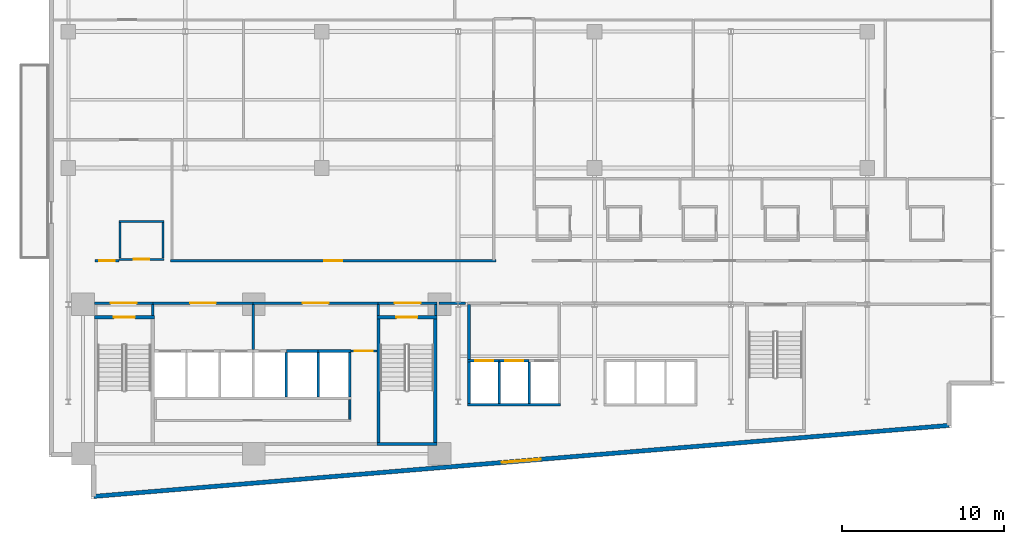
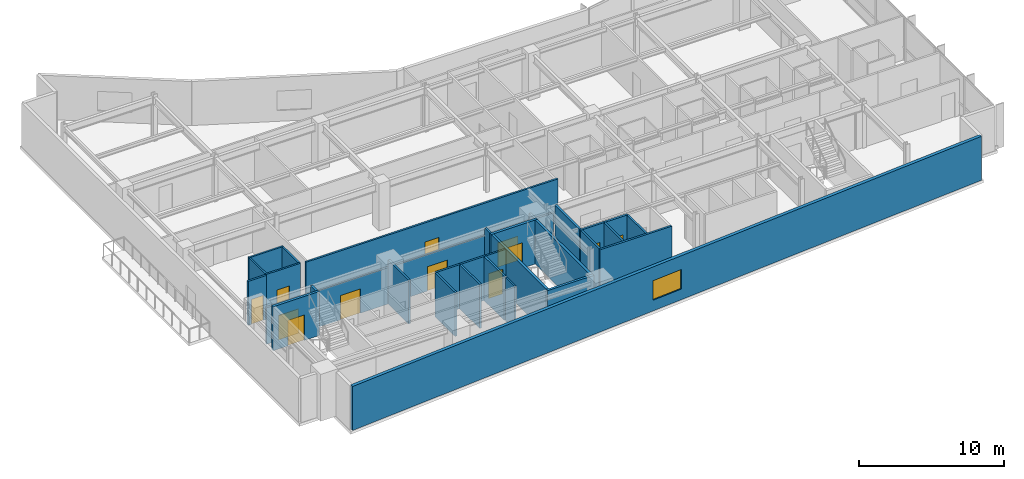
# One storey, part 12 of 19: 35 walls, 12 doors, 1 window, 13 openings.
"""IFC4 building model written with IfcOpenShell, lengths in metres."""

from ifc_helpers import new_model, si_unit, direction, frame, frame_2d, origin, place, context, subcontext, project, spatial, rectangle, extrude, material, layer, layer_set, type_object, element, fill, save


model = new_model("IFC4")

# Units and contexts
model_context = context("Model", 3, precision=1e-05, world=origin(), true_north=direction((0.0, 1.0)))
body_context = subcontext(model_context, "Body", "Model", "MODEL_VIEW")
ifc_project = project(units=[si_unit("LENGTHUNIT", "METRE"), si_unit("AREAUNIT", "SQUARE_METRE"), si_unit("VOLUMEUNIT", "CUBIC_METRE"), si_unit("PLANEANGLEUNIT", "RADIAN"), si_unit("MASSUNIT", "GRAM", prefix="KILO")], contexts=[model_context])

# Site, building, storey
site_placement = place(None, origin())
site = spatial("IfcSite", under=ifc_project, at=site_placement, CompositionType="ELEMENT")
building_placement = place(site_placement, origin())
building = spatial("IfcBuilding", under=site, at=building_placement, Name="Varnakote Quay Hospital", CompositionType="ELEMENT")
storey_placement = place(building_placement, frame((0.0, 0.0, 85.699951171875)))
storey = spatial("IfcBuildingStorey", under=building, at=storey_placement, Name="L21", CompositionType="ELEMENT", Elevation=85.699951171875)

# Wall, opening, door
ifc_material_1 = material(Name="Fire-rated acoustic gypsum stud wall", Category="gypsum")
ifc_layer_1 = layer(ifc_material_1, 0.159912109375)
ifc_layer_set_1 = layer_set([ifc_layer_1], Name="Fire-rated acoustic gypsum stud wall")
wall_type_1 = type_object("IfcWallType", Name="WL-COMP-160", PredefinedType="PARTITIONING", material=ifc_layer_set_1)
wall_1_placement = place(storey_placement, frame((2.800048828125, 12.080078125, 0.0), z_axis=(0.0, 0.0, 1.0), x_axis=(1.0, 0.0, 0.0)))
wall_1 = element("IfcWall", 1, at=wall_1_placement, inside=storey, type_object=wall_type_1, Name="L21 West Stair Vestibule Smoke Wall", PredefinedType="PARTITIONING", context=body_context, shape_type="SweptSolid", body=[
    extrude(rectangle(XDim=3.599853515625, YDim=0.159912109375, at=frame_2d((1.7998046875, 0.0))), origin(), (0.0, 0.0, 1.0), 3.072998046875),
])
opening_1_placement = place(wall_1_placement, frame((1.0, 0.0, 0.0)))
opening_1 = element("IfcOpeningElement", 2, at=opening_1_placement, cuts=wall_1, Name="Opening D-ST1L-L21", PredefinedType="OPENING", context=body_context, shape_type="SweptSolid", body=[
    extrude(rectangle(XDim=1.60009765625, YDim=2.050048828125, at=frame_2d((0.800048828125, 1.02490234375))), frame((0.0, 0.08984375, 0.0), z_axis=(0.0, -1.0, 0.0), x_axis=(1.0, 0.0, 0.0)), (0.0, 0.0, 1.0), 0.179931640625),
])
ifc_material_2 = material(Name="Fire-rated double smoke lobby door")
door_type_1 = type_object("IfcDoorType", Name="DR-LOBBY-FD60S-1600x2150", OperationType="NOTDEFINED", PredefinedType="DOOR", material=ifc_material_2)
door_1_placement = place(opening_1_placement, origin())
door_1 = element("IfcDoor", 3, at=door_1_placement, inside=storey, type_object=door_type_1, Name="L21 West Stair Vestibule Smoke Door", OperationType="DOUBLE_DOOR_SINGLE_SWING", OverallHeight=2.050048828125, OverallWidth=1.60009765625, PredefinedType="DOOR", context=body_context, shape_type="SweptSolid", body=[
    extrude(rectangle(XDim=1.60009765625, YDim=2.050048828125, at=frame_2d((0.800048828125, 1.02490234375))), frame((0.0, 0.02490234375, 0.0), z_axis=(0.0, -1.0, 0.0), x_axis=(1.0, 0.0, 0.0)), (0.0, 0.0, 1.0), 0.050048828125),
])
fill(opening_1, door_1)

# Wall
wall_2_placement = place(storey_placement, frame((6.39990234375, 11.300048828125, 0.0), z_axis=(0.0, 0.0, 1.0), x_axis=(0.0, 1.0, 0.0)))
element("IfcWall", 4, at=wall_2_placement, inside=storey, type_object=wall_type_1, Name="L21 Firefighting Lobby West Wall", PredefinedType="PARTITIONING", context=body_context, shape_type="SweptSolid", body=[
    extrude(rectangle(XDim=0.699951171875, YDim=0.159912109375, at=frame_2d((0.35009765625, 0.0))), origin(), (0.0, 0.0, 1.0), 3.7099609375),
])

# Wall, opening, door
wall_3_placement = place(storey_placement, frame((6.39990234375, 12.080078125, 0.0), z_axis=(0.0, 0.0, 1.0), x_axis=(1.0, 0.0, 0.0)))
wall_3 = element("IfcWall", 5, at=wall_3_placement, inside=storey, type_object=wall_type_1, Name="L21 Firefighting Lift Lobby Compartment Wall", PredefinedType="PARTITIONING", context=body_context, shape_type="SweptSolid", body=[
    extrude(rectangle(XDim=6.18017578125, YDim=0.159912109375, at=frame_2d((3.090087890625, 0.0))), origin(), (0.0, 0.0, 1.0), 3.072998046875),
])
opening_2_placement = place(wall_3_placement, frame((2.2900390625, 0.0, 0.0)))
opening_2 = element("IfcOpeningElement", 6, at=opening_2_placement, cuts=wall_3, Name="Opening D-FFL-L21", PredefinedType="OPENING", context=body_context, shape_type="SweptSolid", body=[
    extrude(rectangle(XDim=1.60009765625, YDim=2.050048828125, at=frame_2d((0.800048828125, 1.02490234375))), frame((0.0, 0.08984375, 0.0), z_axis=(0.0, -1.0, 0.0), x_axis=(1.0, 0.0, 0.0)), (0.0, 0.0, 1.0), 0.179931640625),
])
door_2_placement = place(opening_2_placement, origin())
door_2 = element("IfcDoor", 7, at=door_2_placement, inside=storey, type_object=door_type_1, Name="L21 Firefighting Smoke Vestibule Door", OperationType="DOUBLE_DOOR_SINGLE_SWING", OverallHeight=2.050048828125, OverallWidth=1.60009765625, PredefinedType="DOOR", context=body_context, shape_type="SweptSolid", body=[
    extrude(rectangle(XDim=1.60009765625, YDim=2.050048828125, at=frame_2d((0.800048828125, 1.02490234375))), frame((0.0, 0.02490234375, 0.0), z_axis=(0.0, -1.0, 0.0), x_axis=(1.0, 0.0, 0.0)), (0.0, 0.0, 1.0), 0.050048828125),
])
fill(opening_2, door_2)

# Wall
wall_4_placement = place(storey_placement, frame((12.580078125, 9.2099609375, 0.0), z_axis=(0.0, 0.0, 1.0), x_axis=(0.0, 1.0, 0.0)))
element("IfcWall", 8, at=wall_4_placement, inside=storey, type_object=wall_type_1, Name="L21 Firefighting to Service Lobby Wall", PredefinedType="PARTITIONING", context=body_context, shape_type="SweptSolid", body=[
    extrude(rectangle(XDim=2.7900390625, YDim=0.159912109375, at=frame_2d((1.39501953125, 0.0))), origin(), (0.0, 0.0, 1.0), 3.7099609375),
])

# Wall, opening, door
wall_5_placement = place(storey_placement, frame((12.580078125, 12.080078125, 0.0), z_axis=(0.0, 0.0, 1.0), x_axis=(1.0, 0.0, 0.0)))
wall_5 = element("IfcWall", 9, at=wall_5_placement, inside=storey, type_object=wall_type_1, Name="L21 Clinical Bed Lift Lobby Wall", PredefinedType="PARTITIONING", context=body_context, shape_type="SweptSolid", body=[
    extrude(rectangle(XDim=7.699951171875, YDim=0.159912109375, at=frame_2d((3.85009765625, 0.0))), origin(), (0.0, 0.0, 1.0), 3.072998046875),
])
opening_3_placement = place(wall_5_placement, frame((3.050048828125, 0.0, 0.0)))
opening_3 = element("IfcOpeningElement", 10, at=opening_3_placement, cuts=wall_5, Name="Opening D-SVL-L21", PredefinedType="OPENING", context=body_context, shape_type="SweptSolid", body=[
    extrude(rectangle(XDim=1.60009765625, YDim=2.050048828125, at=frame_2d((0.800048828125, 1.02490234375))), frame((0.0, 0.08984375, 0.0), z_axis=(0.0, -1.0, 0.0), x_axis=(1.0, 0.0, 0.0)), (0.0, 0.0, 1.0), 0.179931640625),
])
door_3_placement = place(opening_3_placement, origin())
door_3 = element("IfcDoor", 11, at=door_3_placement, inside=storey, type_object=door_type_1, Name="L21 Clinical Core Smoke Vestibule Door", OperationType="DOUBLE_DOOR_SINGLE_SWING", OverallHeight=2.050048828125, OverallWidth=1.60009765625, PredefinedType="DOOR", context=body_context, shape_type="SweptSolid", body=[
    extrude(rectangle(XDim=1.60009765625, YDim=2.050048828125, at=frame_2d((0.800048828125, 1.02490234375))), frame((0.0, 0.02490234375, 0.0), z_axis=(0.0, -1.0, 0.0), x_axis=(1.0, 0.0, 0.0)), (0.0, 0.0, 1.0), 0.050048828125),
])
fill(opening_3, door_3)

# Wall
wall_6_placement = place(storey_placement, frame((20.280029296875, 11.300048828125, 0.0), z_axis=(0.0, 0.0, 1.0), x_axis=(0.0, 1.0, 0.0)))
element("IfcWall", 12, at=wall_6_placement, inside=storey, type_object=wall_type_1, Name="L21 East Stair Vestibule Divider Wall", PredefinedType="PARTITIONING", context=body_context, shape_type="SweptSolid", body=[
    extrude(rectangle(XDim=0.699951171875, YDim=0.159912109375, at=frame_2d((0.35009765625, 0.0))), origin(), (0.0, 0.0, 1.0), 3.7099609375),
])

# Wall, opening, door
wall_7_placement = place(storey_placement, frame((20.280029296875, 12.080078125, 0.0), z_axis=(0.0, 0.0, 1.0), x_axis=(1.0, 0.0, 0.0)))
wall_7 = element("IfcWall", 13, at=wall_7_placement, inside=storey, type_object=wall_type_1, Name="L21 East Stair Vestibule Smoke Wall", PredefinedType="PARTITIONING", context=body_context, shape_type="SweptSolid", body=[
    extrude(rectangle(XDim=3.619873046875, YDim=0.159912109375, at=frame_2d((1.81005859375, 0.0))), origin(), (0.0, 0.0, 1.0), 3.072998046875),
])
opening_4_placement = place(wall_7_placement, frame((1.010009765625, 0.0, 0.0)))
opening_4 = element("IfcOpeningElement", 14, at=opening_4_placement, cuts=wall_7, Name="Opening D-ST2L-L21", PredefinedType="OPENING", context=body_context, shape_type="SweptSolid", body=[
    extrude(rectangle(XDim=1.60009765625, YDim=2.050048828125, at=frame_2d((0.800048828125, 1.02490234375))), frame((0.0, 0.08984375, 0.0), z_axis=(0.0, -1.0, 0.0), x_axis=(1.0, 0.0, 0.0)), (0.0, 0.0, 1.0), 0.179931640625),
])
door_4_placement = place(opening_4_placement, origin())
door_4 = element("IfcDoor", 15, at=door_4_placement, inside=storey, type_object=door_type_1, Name="L21 East Stair Vestibule Smoke Door", OperationType="DOUBLE_DOOR_SINGLE_SWING", OverallHeight=2.050048828125, OverallWidth=1.60009765625, PredefinedType="DOOR", context=body_context, shape_type="SweptSolid", body=[
    extrude(rectangle(XDim=1.60009765625, YDim=2.050048828125, at=frame_2d((0.800048828125, 1.02490234375))), frame((0.0, 0.02490234375, 0.0), z_axis=(0.0, -1.0, 0.0), x_axis=(1.0, 0.0, 0.0)), (0.0, 0.0, 1.0), 0.050048828125),
])
fill(opening_4, door_4)

# Walls
wall_8_placement = place(storey_placement, frame((23.820068359375, 11.300048828125, 0.0), z_axis=(0.0, 0.0, 1.0), x_axis=(0.0, 1.0, 0.0)))
element("IfcWall", 16, at=wall_8_placement, inside=storey, type_object=wall_type_1, Name="L21 East Stair Vestibule East Wall", PredefinedType="PARTITIONING", context=body_context, shape_type="SweptSolid", body=[
    extrude(rectangle(XDim=0.699951171875, YDim=0.159912109375, at=frame_2d((0.35009765625, 0.0))), origin(), (0.0, 0.0, 1.0), 3.7099609375),
])
wall_9_placement = place(storey_placement, frame((25.8701171875, 8.610107421875, 0.0), z_axis=(0.0, 0.0, 1.0), x_axis=(0.0, 1.0, 0.0)))
element("IfcWall", 17, at=wall_9_placement, inside=storey, type_object=wall_type_1, Name="L21 Low-Rise Lift Lobby West Wall", PredefinedType="PARTITIONING", context=body_context, shape_type="SweptSolid", body=[
    extrude(rectangle(XDim=3.389892578125, YDim=0.159912109375, at=frame_2d((1.69482421875, 0.0))), origin(), (0.0, 0.0, 1.0), 3.7099609375),
])
wall_10_placement = place(storey_placement, frame((24.02001953125, 12.080078125, 0.0), z_axis=(0.0, 0.0, 1.0), x_axis=(1.0, 0.0, 0.0)))
element("IfcWall", 18, at=wall_10_placement, inside=storey, type_object=wall_type_1, Name="L21 Corridor South Gap Wall", PredefinedType="PARTITIONING", context=body_context, shape_type="SweptSolid", body=[
    extrude(rectangle(XDim=1.64990234375, YDim=0.159912109375, at=frame_2d((0.824951171875, 0.0))), origin(), (0.0, 0.0, 1.0), 3.072998046875),
])

# Wall, opening, window
ifc_material_3 = material(Name="Precast concrete N50 (f'c 50 MPa)", Category="concrete")
ifc_layer_2 = layer(ifc_material_3, 0.260009765625)
ifc_layer_set_2 = layer_set([ifc_layer_2], Name="Precast concrete N50 (f'c 50 MPa)")
wall_type_2 = type_object("IfcWallType", Name="WL-EXT-BRICK-260", PredefinedType="STANDARD", material=ifc_layer_set_2)
wall_11_placement = place(storey_placement, frame((2.760009765625, 0.173828125, 0.0), z_axis=(0.0, 0.0, 1.0), x_axis=(0.996571478456, 0.082736257641, 0.0)))
wall_11 = element("IfcWall", 19, at=wall_11_placement, inside=storey, type_object=wall_type_2, Name="L21 Brick-Faced Precast Exterior Wall", PredefinedType="STANDARD", context=body_context, shape_type="SweptSolid", body=[
    extrude(rectangle(XDim=52.861083984375, YDim=0.260009765625, at=frame_2d((26.4306640625, 0.0))), origin(), (0.0, 0.0, 1.0), 3.7099609375),
])
opening_5_placement = place(wall_11_placement, frame((25.230712890625, 0.0, 0.89990234375)))
opening_5 = element("IfcOpeningElement", 20, at=opening_5_placement, cuts=wall_11, Name="Opening WN-0098", PredefinedType="OPENING", context=body_context, shape_type="SweptSolid", body=[
    extrude(rectangle(XDim=2.39990234375, YDim=1.64990234375, at=frame_2d((1.199951171875, 0.824951171875))), frame((0.0, 0.139892578125, 0.0), z_axis=(0.0, -1.0, 0.0), x_axis=(1.0, 0.0, 0.0)), (0.0, 0.0, 1.0), 0.280029296875),
])
ifc_material_4 = material(Name="Double-glazed low-E solar glass", Category="glass")
window_type = type_object("IfcWindowType", Name="WIN-CLIN-2400x1650", PartitioningType="SINGLE_PANEL", PredefinedType="WINDOW", material=ifc_material_4)
window_placement = place(opening_5_placement, origin())
window = element("IfcWindow", 21, at=window_placement, inside=storey, type_object=window_type, Name="L21 Solar-Control Clinical Window", OverallHeight=1.64990234375, OverallWidth=2.39990234375, PartitioningType="SINGLE_PANEL", PredefinedType="WINDOW", context=body_context, shape_type="SweptSolid", body=[
    extrude(rectangle(XDim=2.39990234375, YDim=1.64990234375, at=frame_2d((1.199951171875, 0.824951171875))), frame((0.0, 0.030029296875, 0.0), z_axis=(0.0, -1.0, 0.0), x_axis=(1.0, 0.0, 0.0)), (0.0, 0.0, 1.0), 0.06005859375),
])
fill(opening_5, window)

# Walls
ifc_material_5 = material(Name="Concrete N50 (f'c 50 MPa)", Category="concrete")
ifc_layer_3 = layer(ifc_material_5, 0.14990234375)
ifc_layer_set_3 = layer_set([ifc_layer_3], Name="Concrete N50 (f'c 50 MPa)")
wall_type_3 = type_object("IfcWallType", Name="WL-SHAFT-N50-150", PredefinedType="SHEAR", material=ifc_layer_set_3)
for number, where, z_axis, x_axis, name in (
    (22, (14.625, 6.300048828125, 0.0), (0.0, 0.0, 1.0), (0.0, 1.0, 0.0), "L21 LF-SV2 Hoistway Divider Wall"),
    (23, (16.574951171875, 6.300048828125, 0.0), (0.0, 0.0, 1.0), (0.0, 1.0, 0.0), "L21 LF-PH1 Hoistway Divider Wall"),
):
    element("IfcWall", number, at=place(storey_placement, frame(where, z_axis=z_axis, x_axis=x_axis)), inside=storey, type_object=wall_type_3, Name=name, PredefinedType="SHEAR", context=body_context, shape_type="SweptSolid", body=[
        extrude(rectangle(XDim=2.75, YDim=0.14990234375, at=frame_2d((1.375, 0.0))), origin(), (0.0, 0.0, 1.0), 3.7099609375),
    ])
for number, where, z_axis, x_axis, name in (
    (24, (27.72509765625, 5.89990234375, 0.0), (0.0, 0.0, 1.0), (0.0, 1.0, 0.0), "L21 LF-PL1 Hoistway Divider Wall"),
    (25, (29.574951171875, 5.89990234375, 0.0), (0.0, 0.0, 1.0), (0.0, 1.0, 0.0), "L21 LF-PL2 Hoistway Divider Wall"),
):
    element("IfcWall", number, at=place(storey_placement, frame(where, z_axis=z_axis, x_axis=x_axis)), inside=storey, type_object=wall_type_3, Name=name, PredefinedType="SHEAR", context=body_context, shape_type="SweptSolid", body=[
        extrude(rectangle(XDim=2.550048828125, YDim=0.14990234375, at=frame_2d((1.27490234375, 0.0))), origin(), (0.0, 0.0, 1.0), 3.7099609375),
    ])
ifc_material_6 = material(Name="Concrete N50 (f'c 50 MPa)", Category="concrete")
ifc_layer_4 = layer(ifc_material_6, 0.159912109375)
ifc_layer_set_4 = layer_set([ifc_layer_4], Name="Concrete N50 (f'c 50 MPa)")
wall_type_4 = type_object("IfcWallType", Name="WL-SHAFT-N50-160", PredefinedType="SHEAR", material=ifc_layer_set_4)
wall_12_placement = place(storey_placement, frame((18.530029296875, 6.300048828125, 0.0), z_axis=(0.0, 0.0, 1.0), x_axis=(0.0, 1.0, 0.0)))
element("IfcWall", 26, at=wall_12_placement, inside=storey, type_object=wall_type_4, Name="L21 REAR Lift Bank East Shear Wall", PredefinedType="SHEAR", context=body_context, shape_type="SweptSolid", body=[
    extrude(rectangle(XDim=2.75, YDim=0.159912109375, at=frame_2d((1.375, 0.0))), origin(), (0.0, 0.0, 1.0), 3.7099609375),
])
wall_13_placement = place(storey_placement, frame((14.625, 9.1298828125, 0.0), z_axis=(0.0, 0.0, 1.0), x_axis=(1.0, 0.0, 0.0)))
element("IfcWall", 27, at=wall_13_placement, inside=storey, type_object=wall_type_4, Name="L21 LF-PH1 Hoistway Front Wall", PredefinedType="SHEAR", context=body_context, shape_type="SweptSolid", body=[
    extrude(rectangle(XDim=1.949951171875, YDim=0.159912109375, at=frame_2d((0.97509765625, 0.0))), origin(), (0.0, 0.0, 1.0), 3.7099609375),
])
wall_14_placement = place(storey_placement, frame((16.574951171875, 9.1298828125, 0.0), z_axis=(0.0, 0.0, 1.0), x_axis=(1.0, 0.0, 0.0)))
element("IfcWall", 28, at=wall_14_placement, inside=storey, type_object=wall_type_4, Name="L21 LF-PH2 Hoistway Front Wall", PredefinedType="SHEAR", context=body_context, shape_type="SweptSolid", body=[
    extrude(rectangle(XDim=2.03515625, YDim=0.159912109375, at=frame_2d((1.017578125, 0.0))), origin(), (0.0, 0.0, 1.0), 3.7099609375),
])
wall_15_placement = place(storey_placement, frame((25.7900390625, 5.820068359375, 0.0), z_axis=(0.0, 0.0, 1.0), x_axis=(1.0, 0.0, 0.0)))
element("IfcWall", 29, at=wall_15_placement, inside=storey, type_object=wall_type_4, Name="L21 LOW Lift Bank Back Shear Wall", PredefinedType="SHEAR", context=body_context, shape_type="SweptSolid", body=[
    extrude(rectangle(XDim=5.719970703125, YDim=0.159912109375, at=frame_2d((2.85986328125, 0.0))), origin(), (0.0, 0.0, 1.0), 3.7099609375),
])
wall_16_placement = place(storey_placement, frame((25.8701171875, 5.89990234375, 0.0), z_axis=(0.0, 0.0, 1.0), x_axis=(0.0, 1.0, 0.0)))
element("IfcWall", 30, at=wall_16_placement, inside=storey, type_object=wall_type_4, Name="L21 LOW Lift Bank West Shear Wall", PredefinedType="SHEAR", context=body_context, shape_type="SweptSolid", body=[
    extrude(rectangle(XDim=2.550048828125, YDim=0.159912109375, at=frame_2d((1.27490234375, 0.0))), origin(), (0.0, 0.0, 1.0), 3.7099609375),
])

# Wall, opening, door
wall_17_placement = place(storey_placement, frame((25.7900390625, 8.530029296875, 0.0), z_axis=(0.0, 0.0, 1.0), x_axis=(1.0, 0.0, 0.0)))
wall_17 = element("IfcWall", 31, at=wall_17_placement, inside=storey, type_object=wall_type_4, Name="L21 LF-PL1 Hoistway Front Wall", PredefinedType="SHEAR", context=body_context, shape_type="SweptSolid", body=[
    extrude(rectangle(XDim=1.93505859375, YDim=0.159912109375, at=frame_2d((0.967529296875, 0.0))), origin(), (0.0, 0.0, 1.0), 3.7099609375),
])
opening_6_placement = place(wall_17_placement, frame((0.4599609375, 0.0, 0.0)))
opening_6 = element("IfcOpeningElement", 32, at=opening_6_placement, cuts=wall_17, Name="Opening LD-PL1-L21", PredefinedType="OPENING", context=body_context, shape_type="SweptSolid", body=[
    extrude(rectangle(XDim=1.10009765625, YDim=2.14990234375, at=frame_2d((0.550048828125, 1.074951171875))), frame((0.0, 0.08984375, 0.0), z_axis=(0.0, -1.0, 0.0), x_axis=(1.0, 0.0, 0.0)), (0.0, 0.0, 1.0), 0.179931640625),
])
ifc_material_7 = material(Name="Brushed bronze lift landing sliding door")
door_type_2 = type_object("IfcDoorType", Name="DR-LIFT-LD-1100x2150", OperationType="NOTDEFINED", PredefinedType="DOOR", material=ifc_material_7)
door_5_placement = place(opening_6_placement, origin())
door_5 = element("IfcDoor", 33, at=door_5_placement, inside=storey, type_object=door_type_2, Name="L21 LF-PL1 Lift Landing Sliding Door", OperationType="SLIDING_TO_LEFT", OverallHeight=2.14990234375, OverallWidth=1.10009765625, PredefinedType="DOOR", context=body_context, shape_type="SweptSolid", body=[
    extrude(rectangle(XDim=1.10009765625, YDim=2.14990234375, at=frame_2d((0.550048828125, 1.074951171875))), frame((0.0, 0.02490234375, 0.0), z_axis=(0.0, -1.0, 0.0), x_axis=(1.0, 0.0, 0.0)), (0.0, 0.0, 1.0), 0.050048828125),
])
fill(opening_6, door_5)

wall_18_placement = place(storey_placement, frame((27.72509765625, 8.530029296875, 0.0), z_axis=(0.0, 0.0, 1.0), x_axis=(1.0, 0.0, 0.0)))
wall_18 = element("IfcWall", 34, at=wall_18_placement, inside=storey, type_object=wall_type_4, Name="L21 LF-PL2 Hoistway Front Wall", PredefinedType="SHEAR", context=body_context, shape_type="SweptSolid", body=[
    extrude(rectangle(XDim=1.849853515625, YDim=0.159912109375, at=frame_2d((0.9248046875, 0.0))), origin(), (0.0, 0.0, 1.0), 3.7099609375),
])
opening_7_placement = place(wall_18_placement, frame((0.375, 0.0, 0.0)))
opening_7 = element("IfcOpeningElement", 35, at=opening_7_placement, cuts=wall_18, Name="Opening LD-PL2-L21", PredefinedType="OPENING", context=body_context, shape_type="SweptSolid", body=[
    extrude(rectangle(XDim=1.10009765625, YDim=2.14990234375, at=frame_2d((0.550048828125, 1.074951171875))), frame((0.0, 0.08984375, 0.0), z_axis=(0.0, -1.0, 0.0), x_axis=(1.0, 0.0, 0.0)), (0.0, 0.0, 1.0), 0.179931640625),
])
door_6_placement = place(opening_7_placement, origin())
door_6 = element("IfcDoor", 36, at=door_6_placement, inside=storey, type_object=door_type_2, Name="L21 LF-PL2 Lift Landing Sliding Door", OperationType="SLIDING_TO_LEFT", OverallHeight=2.14990234375, OverallWidth=1.10009765625, PredefinedType="DOOR", context=body_context, shape_type="SweptSolid", body=[
    extrude(rectangle(XDim=1.10009765625, YDim=2.14990234375, at=frame_2d((0.550048828125, 1.074951171875))), frame((0.0, 0.02490234375, 0.0), z_axis=(0.0, -1.0, 0.0), x_axis=(1.0, 0.0, 0.0)), (0.0, 0.0, 1.0), 0.050048828125),
])
fill(opening_7, door_6)

ifc_material_8 = material(Name="Concrete N50 (f'c 50 MPa)", Category="concrete")
ifc_layer_5 = layer(ifc_material_8, 0.199951171875)
ifc_layer_set_5 = layer_set([ifc_layer_5], Name="Concrete N50 (f'c 50 MPa)")
wall_type_5 = type_object("IfcWallType", Name="WL-SHAFT-N50-200", PredefinedType="SHEAR", material=ifc_layer_set_5)
wall_19_placement = place(storey_placement, frame((2.800048828125, 11.199951171875, 0.0), z_axis=(0.0, 0.0, 1.0), x_axis=(1.0, 0.0, 0.0)))
wall_19 = element("IfcWall", 37, at=wall_19_placement, inside=storey, type_object=wall_type_5, Name="L21 Stair ST1 Exit Wall", PredefinedType="SHEAR", context=body_context, shape_type="SweptSolid", body=[
    extrude(rectangle(XDim=3.699951171875, YDim=0.199951171875, at=frame_2d((1.85009765625, 0.0))), origin(), (0.0, 0.0, 1.0), 3.7099609375),
])
opening_8_placement = place(wall_19_placement, frame((1.199951171875, 0.0, 0.0)))
opening_8 = element("IfcOpeningElement", 38, at=opening_8_placement, cuts=wall_19, Name="Opening D-ST1-L21", PredefinedType="OPENING", context=body_context, shape_type="SweptSolid", body=[
    extrude(rectangle(XDim=1.300048828125, YDim=2.14990234375, at=frame_2d((0.64990234375, 1.074951171875))), frame((0.0, 0.10986328125, 0.0), z_axis=(0.0, -1.0, 0.0), x_axis=(1.0, 0.0, 0.0)), (0.0, 0.0, 1.0), 0.219970703125),
])
ifc_material_9 = material(Name="Fire-rated ceramic-glazed timber exit door", Category="wood")
door_type_3 = type_object("IfcDoorType", Name="DR-STAIR-FD60S-1300x2150", OperationType="NOTDEFINED", PredefinedType="DOOR", material=ifc_material_9)
door_7_placement = place(opening_8_placement, origin())
door_7 = element("IfcDoor", 39, at=door_7_placement, inside=storey, type_object=door_type_3, Name="L21 Stair ST1 Fire Exit Door", OperationType="SINGLE_SWING_LEFT", OverallHeight=2.14990234375, OverallWidth=1.300048828125, PredefinedType="DOOR", context=body_context, shape_type="SweptSolid", body=[
    extrude(rectangle(XDim=1.300048828125, YDim=2.14990234375, at=frame_2d((0.64990234375, 1.074951171875))), frame((0.0, 0.02490234375, 0.0), z_axis=(0.0, -1.0, 0.0), x_axis=(1.0, 0.0, 0.0)), (0.0, 0.0, 1.0), 0.050048828125),
])
fill(opening_8, door_7)

# Walls
wall_20_placement = place(storey_placement, frame((20.199951171875, 3.39990234375, 0.0), z_axis=(0.0, 0.0, 1.0), x_axis=(1.0, 0.0, 0.0)))
element("IfcWall", 40, at=wall_20_placement, inside=storey, type_object=wall_type_5, Name="L21 Stair ST2 South Shaft Wall", PredefinedType="SHEAR", context=body_context, shape_type="SweptSolid", body=[
    extrude(rectangle(XDim=3.699951171875, YDim=0.199951171875, at=frame_2d((1.85009765625, 0.0))), origin(), (0.0, 0.0, 1.0), 3.7099609375),
])
for number, where, z_axis, x_axis, name in (
    (41, (20.300048828125, 3.5, 0.0), (0.0, 0.0, 1.0), (0.0, 1.0, 0.0), "L21 Stair ST2 West Shaft Wall"),
    (42, (23.800048828125, 3.5, 0.0), (0.0, 0.0, 1.0), (0.0, 1.0, 0.0), "L21 Stair ST2 East Shaft Wall"),
):
    element("IfcWall", number, at=place(storey_placement, frame(where, z_axis=z_axis, x_axis=x_axis)), inside=storey, type_object=wall_type_5, Name=name, PredefinedType="SHEAR", context=body_context, shape_type="SweptSolid", body=[
        extrude(rectangle(XDim=7.60009765625, YDim=0.199951171875, at=frame_2d((3.800048828125, 0.0))), origin(), (0.0, 0.0, 1.0), 3.7099609375),
    ])

# Wall, opening, door
wall_21_placement = place(storey_placement, frame((20.199951171875, 11.199951171875, 0.0), z_axis=(0.0, 0.0, 1.0), x_axis=(1.0, 0.0, 0.0)))
wall_21 = element("IfcWall", 43, at=wall_21_placement, inside=storey, type_object=wall_type_5, Name="L21 Stair ST2 Exit Wall", PredefinedType="SHEAR", context=body_context, shape_type="SweptSolid", body=[
    extrude(rectangle(XDim=3.699951171875, YDim=0.199951171875, at=frame_2d((1.85009765625, 0.0))), origin(), (0.0, 0.0, 1.0), 3.7099609375),
])
opening_9_placement = place(wall_21_placement, frame((1.199951171875, 0.0, 0.0)))
opening_9 = element("IfcOpeningElement", 44, at=opening_9_placement, cuts=wall_21, Name="Opening D-ST2-L21", PredefinedType="OPENING", context=body_context, shape_type="SweptSolid", body=[
    extrude(rectangle(XDim=1.300048828125, YDim=2.14990234375, at=frame_2d((0.64990234375, 1.074951171875))), frame((0.0, 0.10986328125, 0.0), z_axis=(0.0, -1.0, 0.0), x_axis=(1.0, 0.0, 0.0)), (0.0, 0.0, 1.0), 0.219970703125),
])
door_8_placement = place(opening_9_placement, origin())
door_8 = element("IfcDoor", 45, at=door_8_placement, inside=storey, type_object=door_type_3, Name="L21 Stair ST2 Fire Exit Door", OperationType="SINGLE_SWING_RIGHT", OverallHeight=2.14990234375, OverallWidth=1.300048828125, PredefinedType="DOOR", context=body_context, shape_type="SweptSolid", body=[
    extrude(rectangle(XDim=1.300048828125, YDim=2.14990234375, at=frame_2d((0.64990234375, 1.074951171875))), frame((0.0, 0.02490234375, 0.0), z_axis=(0.0, -1.0, 0.0), x_axis=(1.0, 0.0, 0.0)), (0.0, 0.0, 1.0), 0.050048828125),
])
fill(opening_9, door_8)

# Wall
ifc_material_10 = material(Name="Smoke-proof clinical partition", Category="gypsum")
ifc_layer_6 = layer(ifc_material_10, 0.1201171875)
ifc_layer_set_6 = layer_set([ifc_layer_6], Name="Smoke-proof clinical partition")
wall_type_6 = type_object("IfcWallType", Name="WL-SMOKE-120", PredefinedType="PARTITIONING", material=ifc_layer_set_6)
wall_22_placement = place(storey_placement, frame((18.5400390625, 4.919921875, 0.0), z_axis=(0.0, 0.0, 1.0), x_axis=(0.0, 1.0, 0.0)))
element("IfcWall", 46, at=wall_22_placement, inside=storey, type_object=wall_type_6, Name="L21 Core Service Strip East Wall", PredefinedType="PARTITIONING", context=body_context, shape_type="SweptSolid", body=[
    extrude(rectangle(XDim=1.219970703125, YDim=0.1201171875, at=frame_2d((0.60986328125, 0.0))), origin(), (0.0, 0.0, 1.0), 3.7099609375),
])

# Wall, opening, door
ifc_material_11 = material(Name="Fire-rated clinical gypsum partition", Category="gypsum")
ifc_layer_7 = layer(ifc_material_11, 0.139892578125)
ifc_layer_set_7 = layer_set([ifc_layer_7], Name="Fire-rated clinical gypsum partition")
wall_type_7 = type_object("IfcWallType", Name="WL-WARD-140", PredefinedType="PARTITIONING", material=ifc_layer_set_7)
wall_23_placement = place(storey_placement, frame((18.610107421875, 9.1298828125, 0.0), z_axis=(0.0, 0.0, 1.0), x_axis=(1.0, 0.0, 0.0)))
wall_23 = element("IfcWall", 47, at=wall_23_placement, inside=storey, type_object=wall_type_7, Name="L21 Core Service Corridor North Door Wall", PredefinedType="PARTITIONING", context=body_context, shape_type="SweptSolid", body=[
    extrude(rectangle(XDim=1.58984375, YDim=0.139892578125, at=frame_2d((0.794921875, 0.0))), origin(), (0.0, 0.0, 1.0), 3.7099609375),
])
opening_10_placement = place(wall_23_placement, frame((0.239990234375, 0.0, 0.0)))
opening_10 = element("IfcOpeningElement", 48, at=opening_10_placement, cuts=wall_23, Name="Opening D-CSRV-L21", PredefinedType="OPENING", context=body_context, shape_type="SweptSolid", body=[
    extrude(rectangle(XDim=1.10009765625, YDim=2.10009765625, at=frame_2d((0.550048828125, 1.050048828125))), frame((0.0, 0.079833984375, 0.0), z_axis=(0.0, -1.0, 0.0), x_axis=(1.0, 0.0, 0.0)), (0.0, 0.0, 1.0), 0.159912109375),
])
ifc_material_12 = material(Name="Acoustic timber clinical consult door", Category="wood")
door_type_4 = type_object("IfcDoorType", Name="DR-CLIN-FD30S-1100x2100", OperationType="NOTDEFINED", PredefinedType="DOOR", material=ifc_material_12)
door_9_placement = place(opening_10_placement, origin())
door_9 = element("IfcDoor", 49, at=door_9_placement, inside=storey, type_object=door_type_4, Name="L21 Core Service Corridor Door", OperationType="SINGLE_SWING_LEFT", OverallHeight=2.10009765625, OverallWidth=1.10009765625, PredefinedType="DOOR", context=body_context, shape_type="SweptSolid", body=[
    extrude(rectangle(XDim=1.10009765625, YDim=2.10009765625, at=frame_2d((0.550048828125, 1.050048828125))), frame((0.0, 0.02490234375, 0.0), z_axis=(0.0, -1.0, 0.0), x_axis=(1.0, 0.0, 0.0)), (0.0, 0.0, 1.0), 0.050048828125),
])
fill(opening_10, door_9)

wall_24_placement = place(storey_placement, frame((4.31005859375, 14.77001953125, 0.0), z_axis=(0.0, 0.0, 1.0), x_axis=(1.0, 0.0, 0.0)))
wall_24 = element("IfcWall", 50, at=wall_24_placement, inside=storey, type_object=wall_type_7, Name="L21 Floor Unisex Accessible WC S Wall", PredefinedType="PARTITIONING", context=body_context, shape_type="SweptSolid", body=[
    extrude(rectangle(XDim=2.780029296875, YDim=0.139892578125, at=frame_2d((1.39013671875, 0.0))), origin(), (0.0, 0.0, 1.0), 3.7099609375),
])
opening_11_placement = place(wall_24_placement, frame((0.89990234375, 0.0, 0.0)))
opening_11 = element("IfcOpeningElement", 51, at=opening_11_placement, cuts=wall_24, Name="Opening D-L21-EW01", PredefinedType="OPENING", context=body_context, shape_type="SweptSolid", body=[
    extrude(rectangle(XDim=0.97998046875, YDim=2.10009765625, at=frame_2d((0.489990234375, 1.050048828125))), frame((0.0, 0.079833984375, 0.0), z_axis=(0.0, -1.0, 0.0), x_axis=(1.0, 0.0, 0.0)), (0.0, 0.0, 1.0), 0.159912109375),
])
ifc_material_13 = material(Name="Accessible sanitary compartment door")
door_type_5 = type_object("IfcDoorType", Name="DR-WC-980x2100", OperationType="NOTDEFINED", PredefinedType="DOOR", material=ifc_material_13)
door_10_placement = place(opening_11_placement, origin())
door_10 = element("IfcDoor", 52, at=door_10_placement, inside=storey, type_object=door_type_5, Name="L21 Floor Unisex Accessible WC Door", OperationType="SINGLE_SWING_RIGHT", OverallHeight=2.10009765625, OverallWidth=0.97998046875, PredefinedType="DOOR", context=body_context, shape_type="SweptSolid", body=[
    extrude(rectangle(XDim=0.97998046875, YDim=2.10009765625, at=frame_2d((0.489990234375, 1.050048828125))), frame((0.0, 0.02490234375, 0.0), z_axis=(0.0, -1.0, 0.0), x_axis=(1.0, 0.0, 0.0)), (0.0, 0.0, 1.0), 0.050048828125),
])
fill(opening_11, door_10)

# Walls
wall_25_placement = place(storey_placement, frame((4.31005859375, 17.110107421875, 0.0), z_axis=(0.0, 0.0, 1.0), x_axis=(1.0, 0.0, 0.0)))
element("IfcWall", 53, at=wall_25_placement, inside=storey, type_object=wall_type_7, Name="L21 Floor Unisex Accessible WC N Wall", PredefinedType="PARTITIONING", context=body_context, shape_type="SweptSolid", body=[
    extrude(rectangle(XDim=2.780029296875, YDim=0.139892578125, at=frame_2d((1.39013671875, 0.0))), origin(), (0.0, 0.0, 1.0), 3.7099609375),
])
for number, where, z_axis, x_axis, name in (
    (54, (4.3798828125, 14.840087890625, 0.0), (0.0, 0.0, 1.0), (0.0, 1.0, 0.0), "L21 Floor Unisex Accessible WC W Wall"),
    (55, (7.02001953125, 14.840087890625, 0.0), (0.0, 0.0, 1.0), (0.0, 1.0, 0.0), "L21 Floor Unisex Accessible WC E Wall"),
):
    element("IfcWall", number, at=place(storey_placement, frame(where, z_axis=z_axis, x_axis=x_axis)), inside=storey, type_object=wall_type_7, Name=name, PredefinedType="PARTITIONING", context=body_context, shape_type="SweptSolid", body=[
        extrude(rectangle(XDim=2.199951171875, YDim=0.139892578125, at=frame_2d((1.10009765625, 0.0))), origin(), (0.0, 0.0, 1.0), 3.7099609375),
    ])

# Wall, opening, door
ifc_material_14 = material(Name="Fire-rated clinical gypsum partition", Category="gypsum")
ifc_layer_8 = layer(ifc_material_14, 0.14990234375)
ifc_layer_set_8 = layer_set([ifc_layer_8], Name="Fire-rated clinical gypsum partition")
wall_type_8 = type_object("IfcWallType", Name="WL-WARD-150", PredefinedType="PARTITIONING", material=ifc_layer_set_8)
wall_26_placement = place(storey_placement, frame((4.30810546875, 14.679931640625, 0.0), z_axis=(0.0, 0.0, 1.0), x_axis=(-1.0, 0.0, 0.0)))
wall_26 = element("IfcWall", 56, at=wall_26_placement, inside=storey, type_object=wall_type_8, Name="L21 Clinical Interior Partition", PredefinedType="PARTITIONING", context=body_context, shape_type="SweptSolid", body=[
    extrude(rectangle(XDim=1.4580078125, YDim=0.14990234375, at=frame_2d((0.72900390625, 0.0))), origin(), (0.0, 0.0, 1.0), 3.7099609375),
])
opening_12_placement = place(wall_26_placement, frame((0.239013671875, 0.0, 0.0)))
opening_12 = element("IfcOpeningElement", 57, at=opening_12_placement, cuts=wall_26, Name="Opening D-L21-DLNG", PredefinedType="OPENING", context=body_context, shape_type="SweptSolid", body=[
    extrude(rectangle(XDim=0.97998046875, YDim=2.10009765625, at=frame_2d((0.489990234375, 1.050048828125))), frame((0.0, 0.0849609375, 0.0), z_axis=(0.0, -1.0, 0.0), x_axis=(1.0, 0.0, 0.0)), (0.0, 0.0, 1.0), 0.169921875),
])
door_11_placement = place(opening_12_placement, origin())
door_11 = element("IfcDoor", 58, at=door_11_placement, inside=storey, type_object=door_type_5, Name="L21 Waterfront Patient & Family Dayroom Door", OperationType="SINGLE_SWING_RIGHT", OverallHeight=2.10009765625, OverallWidth=0.97998046875, PredefinedType="DOOR", context=body_context, shape_type="SweptSolid", body=[
    extrude(rectangle(XDim=0.97998046875, YDim=2.10009765625, at=frame_2d((0.489990234375, 1.050048828125))), frame((0.0, 0.02490234375, 0.0), z_axis=(0.0, -1.0, 0.0), x_axis=(1.0, 0.0, 0.0)), (0.0, 0.0, 1.0), 0.050048828125),
])
fill(opening_12, door_11)

wall_27_placement = place(storey_placement, frame((27.5458984375, 14.679931640625, 0.0), z_axis=(0.0, 0.0, 1.0), x_axis=(-1.0, 0.0, 0.0)))
wall_27 = element("IfcWall", 59, at=wall_27_placement, inside=storey, type_object=wall_type_8, Name="L21 Clinical Interior Partition", PredefinedType="PARTITIONING", context=body_context, shape_type="SweptSolid", body=[
    extrude(rectangle(XDim=20.07177734375, YDim=0.14990234375, at=frame_2d((10.035888671875, 0.0))), origin(), (0.0, 0.0, 1.0), 3.7099609375),
])
opening_13_placement = place(wall_27_placement, frame((9.486083984375, 0.0, 0.0)))
opening_13 = element("IfcOpeningElement", 60, at=opening_13_placement, cuts=wall_27, Name="Opening D-L21-WPNT", PredefinedType="OPENING", context=body_context, shape_type="SweptSolid", body=[
    extrude(rectangle(XDim=1.10009765625, YDim=2.10009765625, at=frame_2d((0.550048828125, 1.050048828125))), frame((0.0, 0.0849609375, 0.0), z_axis=(0.0, -1.0, 0.0), x_axis=(1.0, 0.0, 0.0)), (0.0, 0.0, 1.0), 0.169921875),
])
door_12_placement = place(opening_13_placement, origin())
door_12 = element("IfcDoor", 61, at=door_12_placement, inside=storey, type_object=door_type_4, Name="L21 Ward Clinical Nutrition Pantry Door", OperationType="SINGLE_SWING_LEFT", OverallHeight=2.10009765625, OverallWidth=1.10009765625, PredefinedType="DOOR", context=body_context, shape_type="SweptSolid", body=[
    extrude(rectangle(XDim=1.10009765625, YDim=2.10009765625, at=frame_2d((0.550048828125, 1.050048828125))), frame((0.0, 0.02490234375, 0.0), z_axis=(0.0, -1.0, 0.0), x_axis=(1.0, 0.0, 0.0)), (0.0, 0.0, 1.0), 0.050048828125),
])
fill(opening_13, door_12)

save(model, "model.ifc")
